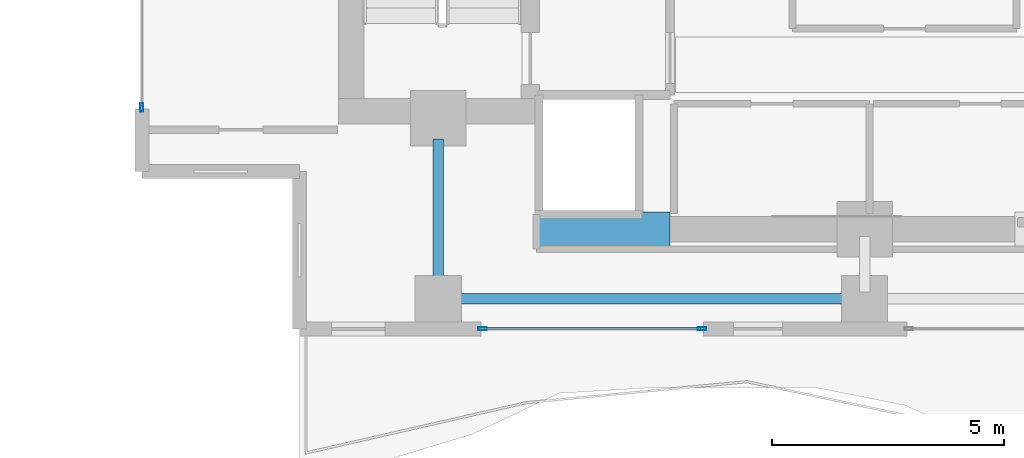
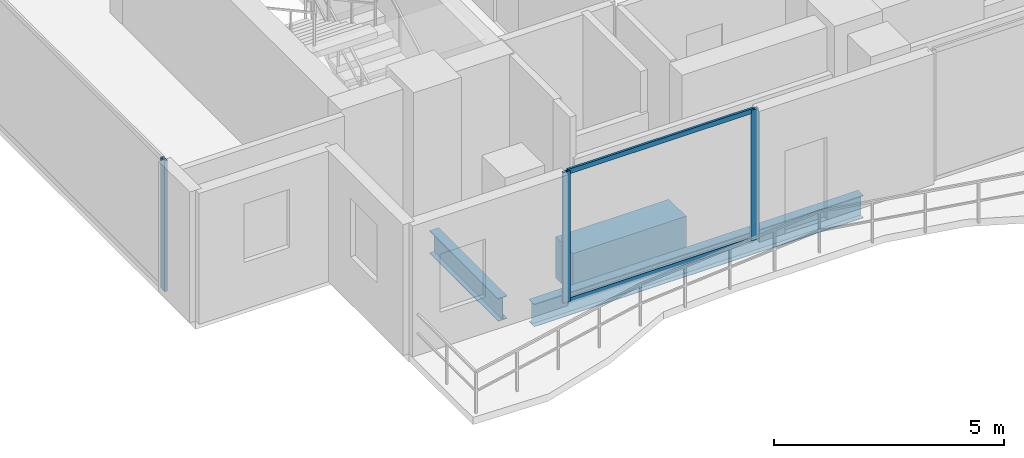
# One storey, part 2 of 24: 5 members, 3 beams, 2 elements without a shape of their own.
"""IFC4 building model written with IfcOpenShell, lengths in metres."""

from ifc_helpers import new_model, si_unit, direction, frame, origin, origin_2d, place, context, subcontext, project, spatial, rectangle, hollow_rectangle, i_section, extrude, material, layer, layer_set, material_profile, profile_set, type_object, element, aggregate, save


model = new_model("IFC4")

# Units and contexts
model_context = context("Model", 3, precision=1e-05, world=origin(), true_north=direction((0.0, 1.0)))
body_context = subcontext(model_context, "Body", "Model", "MODEL_VIEW")
ifc_project = project(units=[si_unit("LENGTHUNIT", "METRE"), si_unit("AREAUNIT", "SQUARE_METRE"), si_unit("VOLUMEUNIT", "CUBIC_METRE"), si_unit("PLANEANGLEUNIT", "RADIAN"), si_unit("MASSUNIT", "GRAM", prefix="KILO")], contexts=[model_context])

# Site, building, storey
site_placement = place(None, origin())
site = spatial("IfcSite", under=ifc_project, at=site_placement, CompositionType="ELEMENT")
building_placement = place(site_placement, origin())
building = spatial("IfcBuilding", under=site, at=building_placement, Name="Zuhayl Quay Hotel", CompositionType="ELEMENT")
storey_placement = place(building_placement, frame((0.0, 0.0, 269.25)))
storey = spatial("IfcBuildingStorey", under=building, at=storey_placement, Name="L68", CompositionType="ELEMENT", Elevation=269.25)

# Beams
ifc_material_1 = material(Name="Steel ASTM A992 Grade 50", Category="steel")
ifc_material_profile_1 = material_profile(ifc_material_1, i_section(OverallWidth=0.22802734375, OverallDepth=0.60693359375, WebThickness=0.01123046875, FlangeThickness=0.017333984375, at=origin_2d()), Name="W24X76")
ifc_profile_set_1 = profile_set([ifc_material_profile_1], Name="Steel ASTM A992 Grade 50")
beam_type_1 = type_object("IfcBeamType", Name="BM_B3_W24X76", PredefinedType="BEAM", material=ifc_profile_set_1)
beam_1_placement = place(storey_placement, frame((-13.340087890625, 0.64990234375, -0.5234375), z_axis=(1.0, 0.0, 0.0), x_axis=(0.0, 1.0, 0.0)))
element("IfcBeam", 1, at=beam_1_placement, inside=storey, type_object=beam_type_1, Name="L68 Floor Beam RG_L68_01", PredefinedType="BEAM", context=body_context, shape_type="SweptSolid", body=[
    extrude(i_section(OverallWidth=0.22802734375, OverallDepth=0.60693359375, WebThickness=0.01123046875, FlangeThickness=0.017333984375, at=origin_2d()), origin(), (0.0, 0.0, 1.0), 8.280029296875),
])
beam_2_placement = place(storey_placement, frame((-13.800048828125, 1.110107421875, -0.5234375), z_axis=(0.0, 1.0, 0.0), x_axis=(-1.0, 0.0, 0.0)))
element("IfcBeam", 2, at=beam_2_placement, inside=storey, type_object=beam_type_1, Name="L68 Floor Beam FG_S_L68_1", PredefinedType="BEAM", context=body_context, shape_type="SweptSolid", body=[
    extrude(i_section(OverallWidth=0.22802734375, OverallDepth=0.60693359375, WebThickness=0.01123046875, FlangeThickness=0.017333984375, at=origin_2d()), origin(), (0.0, 0.0, 1.0), 2.989990234375),
])
ifc_material_2 = material(Name="Concrete C60/75", Category="concrete")
ifc_material_profile_2 = material_profile(ifc_material_2, rectangle(XDim=0.75, YDim=1.10009765625, at=origin_2d()), Name="RC750X1100")
ifc_profile_set_2 = profile_set([ifc_material_profile_2], Name="Concrete C60/75")
beam_type_2 = type_object("IfcBeamType", Name="BM_CB2_RC750", PredefinedType="T_BEAM", material=ifc_profile_set_2)
beam_3_placement = place(storey_placement, frame((-11.64990234375, 2.14990234375, -0.77001953125), z_axis=(1.0, 0.0, 0.0), x_axis=(0.0, 1.0, 0.0)))
element("IfcBeam", 3, at=beam_3_placement, inside=storey, type_object=beam_type_2, Name="L68 Core Coupling Beam SW", PredefinedType="T_BEAM", context=body_context, shape_type="SweptSolid", body=[
    extrude(rectangle(XDim=0.75, YDim=1.10009765625, at=origin_2d()), origin(), (0.0, 0.0, 1.0), 2.849853515625),
])

# Curtain wall, member
ifc_material_3 = material(Name="Anodised Aluminium 6063-T6", Category="aluminium")
ifc_layer = layer(ifc_material_3, 0.169921875, Name="Anodised Aluminium 6063-T6", Category="aluminium")
ifc_layer_set = layer_set([ifc_layer], Name="Anodised Aluminium 6063-T6")
curtain_wall_type = type_object("IfcCurtainWallType", Name="CW_SYS_Z4", PredefinedType="USERDEFINED", material=ifc_layer_set)
curtain_wall_1_placement = place(storey_placement, origin())
curtain_wall_1 = element("IfcCurtainWall", 4, at=curtain_wall_1_placement, inside=storey, type_object=curtain_wall_type, Name="L68 Curtain Wall ENV_L68_E02_CW1", ObjectType="UNITISED CURTAIN WALL", PredefinedType="USERDEFINED")
ifc_material_4 = material(Name="Black-anodised aluminium 6063-T6", Category="aluminium")
ifc_material_profile_3 = material_profile(ifc_material_4, hollow_rectangle(XDim=0.06494140625, YDim=0.179931640625, WallThickness=0.00341796875, at=origin_2d()), Name="ALU180X65")
ifc_profile_set_3 = profile_set([ifc_material_profile_3], Name="Black-anodised aluminium 6063-T6")
member_type_1 = type_object("IfcMemberType", Name="MB_CW_MUL_180", PredefinedType="MULLION", material=ifc_profile_set_3)
member_1_placement = place(storey_placement, frame((-20.199951171875, 4.782470703125, 0.0), z_axis=(0.0, 0.0, 1.0), x_axis=(-1.0, 0.0, 0.0)))
member_1 = element("IfcMember", 5, at=member_1_placement, type_object=member_type_1, Name="CW-Z4 mullion 1", PredefinedType="MULLION", context=body_context, shape_type="SweptSolid", body=[
    extrude(hollow_rectangle(XDim=0.06494140625, YDim=0.179931640625, WallThickness=0.00341796875, at=origin_2d()), origin(), (0.0, 0.0, 1.0), 3.47998046875),
])
aggregate(curtain_wall_1, [member_1])

# Curtain wall, members
curtain_wall_2_placement = place(storey_placement, origin())
curtain_wall_2 = element("IfcCurtainWall", 6, at=curtain_wall_2_placement, inside=storey, type_object=curtain_wall_type, Name="L68 Curtain Wall ENV_L68_S_CW4", ObjectType="UNITISED CURTAIN WALL", PredefinedType="USERDEFINED")
member_2_placement = place(storey_placement, frame((-8.107421875, 0.0, 0.0), z_axis=(0.0, 0.0, 1.0), x_axis=(0.0, -1.0, 0.0)))
member_2 = element("IfcMember", 7, at=member_2_placement, type_object=member_type_1, Name="CW-Z4 mullion 1", PredefinedType="MULLION", context=body_context, shape_type="SweptSolid", body=[
    extrude(hollow_rectangle(XDim=0.06494140625, YDim=0.179931640625, WallThickness=0.00341796875, at=origin_2d()), origin(), (0.0, 0.0, 1.0), 3.47998046875),
])
member_3_placement = place(storey_placement, frame((-12.847412109375, 0.0, 0.0), z_axis=(0.0, 0.0, 1.0), x_axis=(0.0, -1.0, 0.0)))
member_3 = element("IfcMember", 8, at=member_3_placement, type_object=member_type_1, Name="CW-Z4 mullion 2", PredefinedType="MULLION", context=body_context, shape_type="SweptSolid", body=[
    extrude(hollow_rectangle(XDim=0.06494140625, YDim=0.179931640625, WallThickness=0.00341796875, at=origin_2d()), origin(), (0.0, 0.0, 1.0), 3.47998046875),
])
ifc_material_profile_4 = material_profile(ifc_material_4, hollow_rectangle(XDim=0.054931640625, YDim=0.1298828125, WallThickness=0.0029296875, at=origin_2d()), Name="ALU130X55")
ifc_profile_set_4 = profile_set([ifc_material_profile_4], Name="Black-anodised aluminium 6063-T6")
member_type_2 = type_object("IfcMemberType", Name="MB_CW_TRN_130", PredefinedType="USERDEFINED", material=ifc_profile_set_4)
member_4_placement = place(storey_placement, frame((-8.139892578125, 0.0, 0.027587890625), z_axis=(-1.0, 0.0, 0.0), x_axis=(0.0, -1.0, 0.0)))
member_4 = element("IfcMember", 9, at=member_4_placement, type_object=member_type_2, Name="CW-Z4 transom 1.1", ObjectType="TRANSOM", PredefinedType="USERDEFINED", context=body_context, shape_type="SweptSolid", body=[
    extrude(hollow_rectangle(XDim=0.054931640625, YDim=0.1298828125, WallThickness=0.0029296875, at=origin_2d()), origin(), (0.0, 0.0, 1.0), 4.675048828125),
])
member_5_placement = place(storey_placement, frame((-8.139892578125, 0.0, 3.452392578125), z_axis=(-1.0, 0.0, 0.0), x_axis=(0.0, -1.0, 0.0)))
member_5 = element("IfcMember", 10, at=member_5_placement, type_object=member_type_2, Name="CW-Z4 transom 1.2", ObjectType="TRANSOM", PredefinedType="USERDEFINED", context=body_context, shape_type="SweptSolid", body=[
    extrude(hollow_rectangle(XDim=0.054931640625, YDim=0.1298828125, WallThickness=0.0029296875, at=origin_2d()), origin(), (0.0, 0.0, 1.0), 4.675048828125),
])
aggregate(curtain_wall_2, [member_2, member_3, member_4, member_5])

save(model, "model.ifc")
